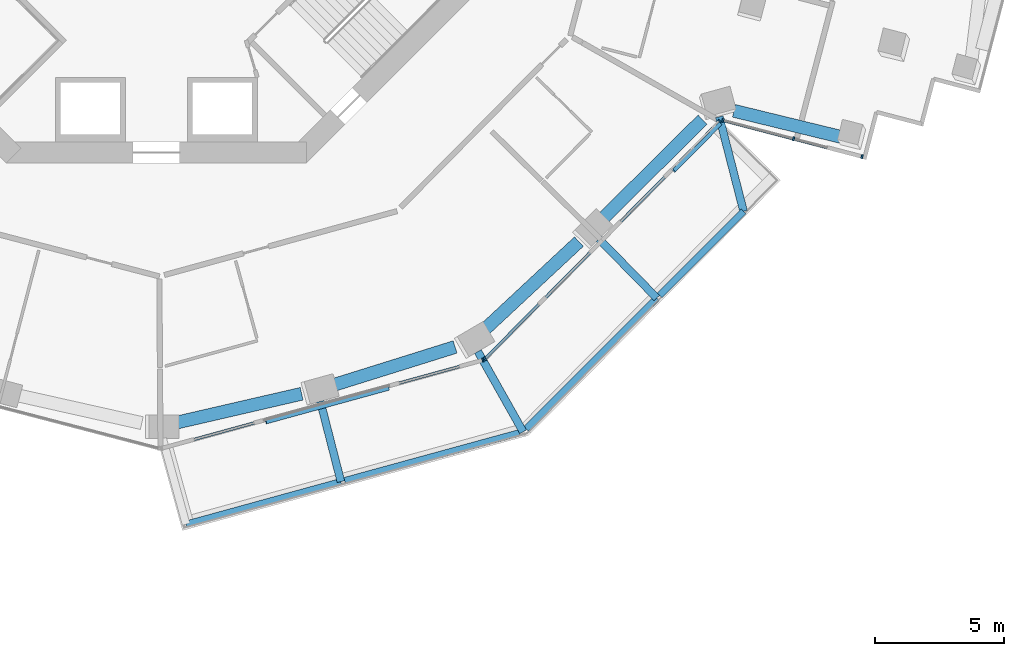
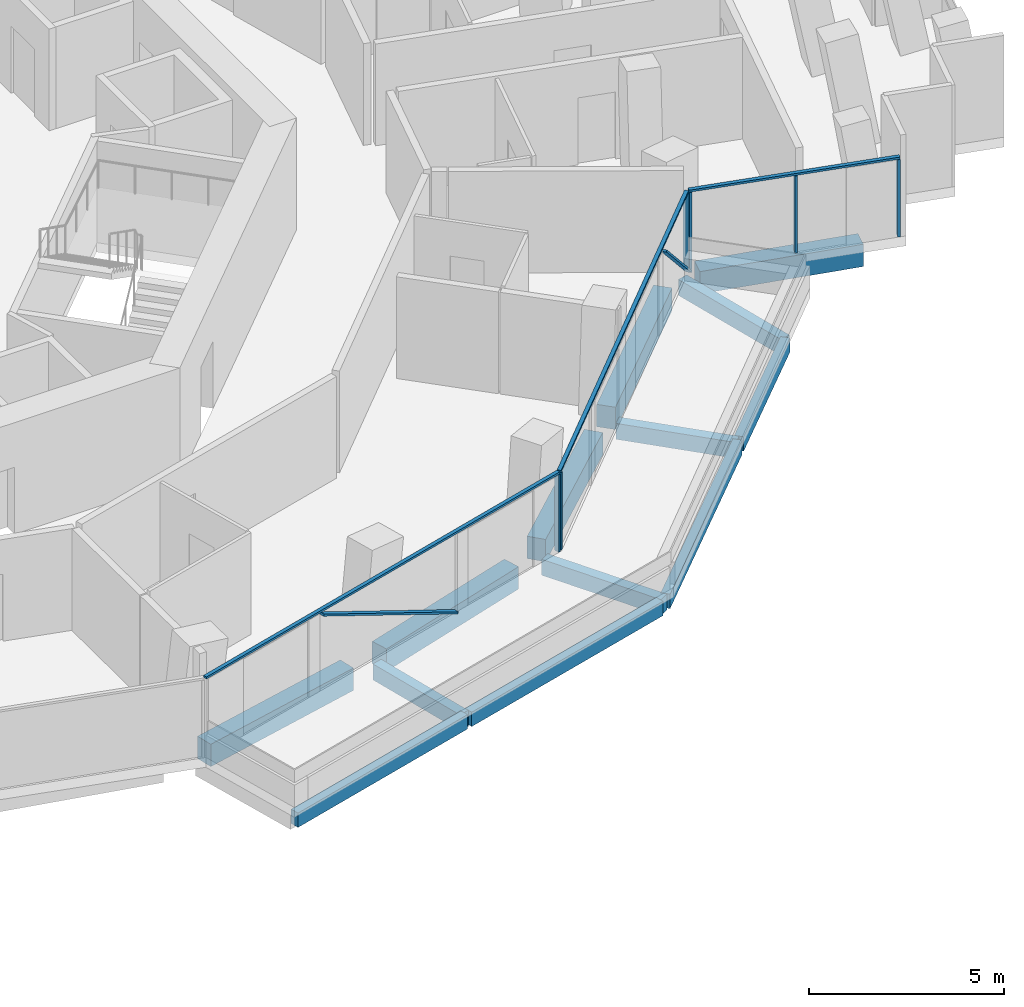
# One storey, part 5 of 26: 13 beams, 11 members, 3 elements without a shape of their own.
"""IFC4 building model written with IfcOpenShell, lengths in metres."""

from ifc_helpers import new_model, si_unit, direction, frame, origin, origin_2d, place, context, subcontext, project, spatial, rectangle, extrude, material, layer, layer_set, material_profile, profile_set, type_object, element, aggregate, save


model = new_model("IFC4")

# Units and contexts
model_context = context("Model", 3, precision=1e-05, world=origin(), true_north=direction((0.0, 1.0)))
body_context = subcontext(model_context, "Body", "Model", "MODEL_VIEW")
ifc_project = project(units=[si_unit("LENGTHUNIT", "METRE"), si_unit("AREAUNIT", "SQUARE_METRE"), si_unit("VOLUMEUNIT", "CUBIC_METRE"), si_unit("PLANEANGLEUNIT", "RADIAN"), si_unit("MASSUNIT", "GRAM", prefix="KILO")], contexts=[model_context])

# Site, building, storey
site_placement = place(None, origin())
site = spatial("IfcSite", under=ifc_project, at=site_placement, CompositionType="ELEMENT")
building_placement = place(site_placement, origin())
building = spatial("IfcBuilding", under=site, at=building_placement, Name="Verdalira Terraces Hotel", CompositionType="ELEMENT")
storey_placement = place(building_placement, frame((0.0, 0.0, 96.5)))
storey = spatial("IfcBuildingStorey", under=building, at=storey_placement, Name="L22", CompositionType="ELEMENT", Elevation=96.5)

# Beams
ifc_material_1 = material(Name="Concrete C40", Category="concrete")
ifc_material_profile_1 = material_profile(ifc_material_1, rectangle(XDim=0.300049, YDim=0.5, at=origin_2d()), Name="RC 300X500")
ifc_profile_set_1 = profile_set([ifc_material_profile_1], Name="Concrete C40")
beam_type_1 = type_object("IfcBeamType", Name="Balcony cantilever beam RC 300X500 C40", PredefinedType="BEAM", material=ifc_profile_set_1)
beam_1_placement = place(storey_placement, frame((6.331543, -23.209961, -0.560059), z_axis=(0.248650601, -0.968593247, 0.0), x_axis=(0.968593247, 0.248650601, 0.0)))
element("IfcBeam", 1, at=beam_1_placement, inside=storey, type_object=beam_type_1, Name="Balcony cantilever beam R26-2", PredefinedType="BEAM", context=body_context, shape_type="SweptSolid", body=[
    extrude(rectangle(XDim=0.300049, YDim=0.5, at=origin_2d()), origin(), (0.0, 0.0, 1.0), 3.200928),
])
beam_2_placement = place(storey_placement, frame((12.41748, -21.284912, -0.560059), z_axis=(0.490925924, -0.871201318, 0.0), x_axis=(0.871201318, 0.490925924, 0.0)))
element("IfcBeam", 2, at=beam_2_placement, inside=storey, type_object=beam_type_1, Name="Balcony cantilever beam R26-3", PredefinedType="BEAM", context=body_context, shape_type="SweptSolid", body=[
    extrude(rectangle(XDim=0.300049, YDim=0.5, at=origin_2d()), origin(), (0.0, 0.0, 1.0), 3.556641),
])
beam_3_placement = place(storey_placement, frame((17.088135, -16.93457, -0.560059), z_axis=(0.69966941, -0.714466736, 0.0), x_axis=(0.714466736, 0.69966941, 0.0)))
element("IfcBeam", 3, at=beam_3_placement, inside=storey, type_object=beam_type_1, Name="Balcony cantilever beam R26-4", PredefinedType="BEAM", context=body_context, shape_type="SweptSolid", body=[
    extrude(rectangle(XDim=0.300049, YDim=0.5, at=origin_2d()), origin(), (0.0, 0.0, 1.0), 3.200684),
])
beam_4_placement = place(storey_placement, frame((21.738525, -12.219971, -0.560059), z_axis=(0.248686963, -0.968583912, 0.0), x_axis=(0.968583912, 0.248686963, 0.0)))
element("IfcBeam", 4, at=beam_4_placement, inside=storey, type_object=beam_type_1, Name="Balcony cantilever beam R26-5", PredefinedType="BEAM", context=body_context, shape_type="SweptSolid", body=[
    extrude(rectangle(XDim=0.300049, YDim=0.5, at=origin_2d()), origin(), (0.0, 0.0, 1.0), 3.769775),
])
ifc_material_2 = material(Name="Concrete C40", Category="concrete")
ifc_material_profile_2 = material_profile(ifc_material_2, rectangle(XDim=0.25, YDim=0.449951, at=origin_2d()), Name="RC 250X450")
ifc_profile_set_2 = profile_set([ifc_material_profile_2], Name="Concrete C40")
beam_type_2 = type_object("IfcBeamType", Name="Balcony edge beam RC 250X450 C40", PredefinedType="BEAM", material=ifc_profile_set_2)
beam_5_placement = place(storey_placement, frame((1.148926, -27.952393, -0.534912), z_axis=(0.9642879, 0.264856273, 0.0), x_axis=(-0.264856273, 0.9642879, 0.0)))
element("IfcBeam", 5, at=beam_5_placement, inside=storey, type_object=beam_type_2, Name="Balcony edge beam R26-1", PredefinedType="BEAM", context=body_context, shape_type="SweptSolid", body=[
    extrude(rectangle(XDim=0.25, YDim=0.449951, at=origin_2d()), origin(), (0.0, 0.0, 1.0), 6.199951),
])
beam_6_placement = place(storey_placement, frame((7.272217, -26.270508, -0.534912), z_axis=(0.964494124, 0.264104308, 0.0), x_axis=(-0.264104308, 0.964494124, 0.0)))
element("IfcBeam", 6, at=beam_6_placement, inside=storey, type_object=beam_type_2, Name="Balcony edge beam R26-2", PredefinedType="BEAM", context=body_context, shape_type="SweptSolid", body=[
    extrude(rectangle(XDim=0.25, YDim=0.449951, at=origin_2d()), origin(), (0.0, 0.0, 1.0), 6.990479),
])
beam_7_placement = place(storey_placement, frame((14.273682, -24.273438, -0.534912), z_axis=(0.707243427, 0.706970109, 0.0), x_axis=(-0.706970109, 0.707243427, 0.0)))
element("IfcBeam", 7, at=beam_7_placement, inside=storey, type_object=beam_type_2, Name="Balcony edge beam R26-3", PredefinedType="BEAM", context=body_context, shape_type="SweptSolid", body=[
    extrude(rectangle(XDim=0.25, YDim=0.449951, at=origin_2d()), origin(), (0.0, 0.0, 1.0), 7.145996),
])
beam_8_placement = place(storey_placement, frame((19.433594, -19.115479, -0.534912), z_axis=(0.706920459, 0.707293054, 0.0), x_axis=(-0.707293054, 0.706920459, 0.0)))
element("IfcBeam", 8, at=beam_8_placement, inside=storey, type_object=beam_type_2, Name="Balcony edge beam R26-4", PredefinedType="BEAM", context=body_context, shape_type="SweptSolid", body=[
    extrude(rectangle(XDim=0.25, YDim=0.449951, at=origin_2d()), origin(), (0.0, 0.0, 1.0), 4.58667),
])

# Curtain wall, member
ifc_material_3 = material(Name="Clear glass", Category="glass")
ifc_layer_1 = layer(ifc_material_3, 0.14990234375)
ifc_layer_set_1 = layer_set([ifc_layer_1], Name="CW1 curtain wall")
curtain_wall_type_1 = type_object("IfcCurtainWallType", Name="CW1 curtain wall", PredefinedType="NOTDEFINED", material=ifc_layer_set_1)
curtain_wall_1_placement = place(storey_placement, origin())
curtain_wall_1 = element("IfcCurtainWall", 9, at=curtain_wall_1_placement, inside=storey, type_object=curtain_wall_type_1, Name="CW1 curtain wall L22 edge 26", PredefinedType="NOTDEFINED")
ifc_material_4 = material(Name="Terracotta frame", Category="masonry")
ifc_material_profile_3 = material_profile(ifc_material_4, rectangle(XDim=0.060059, YDim=0.149902, at=origin_2d()), Name="MU 60x150")
ifc_profile_set_3 = profile_set([ifc_material_profile_3], Name="Terracotta frame")
member_type_1 = type_object("IfcMemberType", Name="CW1 mullion 60x150", PredefinedType="MULLION", material=ifc_profile_set_3)
member_1_placement = place(storey_placement, frame((12.605957, -21.616455, 0.0), z_axis=(0.0, 0.0, 1.0), x_axis=(0.964280562, 0.264882987, 0.0)))
member_1 = element("IfcMember", 10, at=member_1_placement, type_object=member_type_1, Name="CW1 mullion", PredefinedType="MULLION", context=body_context, shape_type="SweptSolid", body=[
    extrude(rectangle(XDim=0.060059, YDim=0.149902, at=origin_2d()), origin(), (0.0, 0.0, 1.0), 2.425049),
])

# Curtain wall, members
curtain_wall_2_placement = place(storey_placement, origin())
curtain_wall_2 = element("IfcCurtainWall", 11, at=curtain_wall_2_placement, inside=storey, type_object=curtain_wall_type_1, Name="CW1 curtain wall L22 edge 27", PredefinedType="NOTDEFINED")
member_2_placement = place(storey_placement, frame((12.689453, -21.567383, 0.0), z_axis=(0.0, 0.0, 1.0), x_axis=(0.70264997, 0.711535677, 0.0)))
member_2 = element("IfcMember", 12, at=member_2_placement, type_object=member_type_1, Name="CW1 mullion", PredefinedType="MULLION", context=body_context, shape_type="SweptSolid", body=[
    extrude(rectangle(XDim=0.060059, YDim=0.149902, at=origin_2d()), origin(), (0.0, 0.0, 1.0), 2.425049),
])
member_3_placement = place(storey_placement, frame((21.753418, -12.388672, 0.0), z_axis=(0.0, 0.0, 1.0), x_axis=(0.70264997, 0.711535677, 0.0)))
member_3 = element("IfcMember", 13, at=member_3_placement, type_object=member_type_1, Name="CW1 mullion", PredefinedType="MULLION", context=body_context, shape_type="SweptSolid", body=[
    extrude(rectangle(XDim=0.060059, YDim=0.149902, at=origin_2d()), origin(), (0.0, 0.0, 1.0), 2.425049),
])

# Member
ifc_material_5 = material(Name="Terracotta frame", Category="masonry")
ifc_material_profile_4 = material_profile(ifc_material_5, rectangle(XDim=0.110107, YDim=0.064941, at=origin_2d()), Name="TR 65x110")
ifc_profile_set_4 = profile_set([ifc_material_profile_4], Name="Terracotta frame")
member_type_2 = type_object("IfcMemberType", Name="CW1 transom 65x110", PredefinedType="USERDEFINED", material=ifc_profile_set_4)
member_4_placement = place(storey_placement, frame((0.176758, -25.030518, 2.45752), z_axis=(0.964281205, 0.264880647, 0.0), x_axis=(-0.264880647, 0.964281205, 0.0)))
member_4 = element("IfcMember", 14, at=member_4_placement, type_object=member_type_2, Name="CW1 transom", ObjectType="TRANSOM", PredefinedType="USERDEFINED", context=body_context, shape_type="SweptSolid", body=[
    extrude(rectangle(XDim=0.110107, YDim=0.064941, at=origin_2d()), origin(), (0.0, 0.0, 1.0), 12.919434),
])

member_5_placement = place(storey_placement, frame((12.668213, -21.588867, 2.45752), z_axis=(0.702646984, 0.711538626, 0.0), x_axis=(-0.711538626, 0.702646984, 0.0)))
member_5 = element("IfcMember", 15, at=member_5_placement, type_object=member_type_2, Name="CW1 transom", ObjectType="TRANSOM", PredefinedType="USERDEFINED", context=body_context, shape_type="SweptSolid", body=[
    extrude(rectangle(XDim=0.110107, YDim=0.064941, at=origin_2d()), origin(), (0.0, 0.0, 1.0), 12.959961),
])

# Curtain wall, members
ifc_material_6 = material(Name="Clear glass", Category="glass")
ifc_layer_2 = layer(ifc_material_6, 0.14990234375)
ifc_layer_set_2 = layer_set([ifc_layer_2], Name="CW2 curtain wall")
curtain_wall_type_2 = type_object("IfcCurtainWallType", Name="CW2 curtain wall", PredefinedType="NOTDEFINED", material=ifc_layer_set_2)
curtain_wall_3_placement = place(storey_placement, origin())
curtain_wall_3 = element("IfcCurtainWall", 16, at=curtain_wall_3_placement, inside=storey, type_object=curtain_wall_type_2, Name="CW2 curtain wall L22 edge 28", PredefinedType="NOTDEFINED")
ifc_material_7 = material(Name="Terracotta frame", Category="masonry")
ifc_material_profile_5 = material_profile(ifc_material_7, rectangle(XDim=0.070068, YDim=0.149902, at=origin_2d()), Name="MU 70x150")
ifc_profile_set_5 = profile_set([ifc_material_profile_5], Name="Terracotta frame")
member_type_3 = type_object("IfcMemberType", Name="CW2 mullion 70x150", PredefinedType="MULLION", material=ifc_profile_set_5)
member_6_placement = place(storey_placement, frame((21.880615, -12.356445, 0.0), z_axis=(0.0, 0.0, 1.0), x_axis=(0.967532957, -0.252744885, 0.0)))
member_6 = element("IfcMember", 17, at=member_6_placement, type_object=member_type_3, Name="CW2 mullion", PredefinedType="MULLION", context=body_context, shape_type="SweptSolid", body=[
    extrude(rectangle(XDim=0.070068, YDim=0.149902, at=origin_2d()), origin(), (0.0, 0.0, 1.0), 2.425049),
])
member_7_placement = place(storey_placement, frame((24.604736, -13.067871, 0.0), z_axis=(0.0, 0.0, 1.0), x_axis=(0.967532957, -0.252744885, 0.0)))
member_7 = element("IfcMember", 18, at=member_7_placement, type_object=member_type_3, Name="CW2 mullion", PredefinedType="MULLION", context=body_context, shape_type="SweptSolid", body=[
    extrude(rectangle(XDim=0.070068, YDim=0.149902, at=origin_2d()), origin(), (0.0, 0.0, 1.0), 2.425049),
])
member_8_placement = place(storey_placement, frame((27.250977, -13.759277, 0.0), z_axis=(0.0, 0.0, 1.0), x_axis=(0.967532957, -0.252744885, 0.0)))
member_8 = element("IfcMember", 19, at=member_8_placement, type_object=member_type_3, Name="CW2 mullion", PredefinedType="MULLION", context=body_context, shape_type="SweptSolid", body=[
    extrude(rectangle(XDim=0.070068, YDim=0.149902, at=origin_2d()), origin(), (0.0, 0.0, 1.0), 2.425049),
])
ifc_material_8 = material(Name="Terracotta frame", Category="masonry")
ifc_material_profile_6 = material_profile(ifc_material_8, rectangle(XDim=0.11499, YDim=0.064941, at=origin_2d()), Name="TR 65x115")
ifc_profile_set_6 = profile_set([ifc_material_profile_6], Name="Terracotta frame")
member_type_4 = type_object("IfcMemberType", Name="CW2 transom 65x115", PredefinedType="USERDEFINED", material=ifc_profile_set_6)
member_9_placement = place(storey_placement, frame((21.846924, -12.347656, 2.45752), z_axis=(0.967536032, -0.252733113, 0.0), x_axis=(0.252733113, 0.967536032, 0.0)))
member_9 = element("IfcMember", 20, at=member_9_placement, type_object=member_type_4, Name="CW2 transom", ObjectType="TRANSOM", PredefinedType="USERDEFINED", context=body_context, shape_type="SweptSolid", body=[
    extrude(rectangle(XDim=0.11499, YDim=0.064941, at=origin_2d()), origin(), (0.0, 0.0, 1.0), 5.620117),
])
aggregate(curtain_wall_3, [member_6, member_7, member_8, member_9])

# Member
ifc_material_9 = material(Name="Terracotta frame", Category="masonry")
ifc_material_profile_7 = material_profile(ifc_material_9, rectangle(XDim=0.149902, YDim=0.060059, at=origin_2d()), Name="GB 60x150")
ifc_profile_set_7 = profile_set([ifc_material_profile_7], Name="Terracotta frame")
member_type_5 = type_object("IfcMemberType", Name="Diagonal glazing bar 60x150", PredefinedType="USERDEFINED", material=ifc_profile_set_7)
member_10_placement = place(storey_placement, frame((4.236328, -24.007812, 2.397217), z_axis=(0.868324326, 0.238522571, -0.43487912), x_axis=(-0.264881207, 0.964281051, 0.0)))
member_10 = element("IfcMember", 21, at=member_10_placement, type_object=member_type_5, Name="Diagonal glazing bar", ObjectType="GLAZING BAR", PredefinedType="USERDEFINED", context=body_context, shape_type="SweptSolid", body=[
    extrude(rectangle(XDim=0.149902, YDim=0.060059, at=origin_2d()), origin(), (0.0, 0.0, 1.0), 5.448486),
])

aggregate(curtain_wall_1, [member_1, member_4, member_10])

member_11_placement = place(storey_placement, frame((19.983154, -14.308105, 2.401611), z_axis=(0.514280554, 0.520786007, -0.681393753), x_axis=(-0.711536935, 0.702648696, 0.0)))
member_11 = element("IfcMember", 22, at=member_11_placement, type_object=member_type_5, Name="Diagonal glazing bar", ObjectType="GLAZING BAR", PredefinedType="USERDEFINED", context=body_context, shape_type="SweptSolid", body=[
    extrude(rectangle(XDim=0.149902, YDim=0.060059, at=origin_2d()), origin(), (0.0, 0.0, 1.0), 3.490234),
])

aggregate(curtain_wall_2, [member_2, member_3, member_5, member_11])

# Beams
ifc_material_10 = material(Name="Concrete C70", Category="concrete")
ifc_material_profile_8 = material_profile(ifc_material_10, rectangle(XDim=0.5, YDim=0.699951, at=origin_2d()), Name="RC 500X700")
ifc_profile_set_8 = profile_set([ifc_material_profile_8], Name="Concrete C70")
beam_type_3 = type_object("IfcBeamType", Name="Spandrel beam RC 500X700 C70", PredefinedType="SPANDREL", material=ifc_profile_set_8)
beam_9_placement = place(storey_placement, frame((0.723145, -24.042725, -0.659912), z_axis=(0.974439578, 0.224649748, 0.0), x_axis=(-0.224649748, 0.974439578, 0.0)))
element("IfcBeam", 23, at=beam_9_placement, inside=storey, type_object=beam_type_3, Name="Spandrel beam B17", PredefinedType="SPANDREL", context=body_context, shape_type="SweptSolid", body=[
    extrude(rectangle(XDim=0.5, YDim=0.699951, at=origin_2d()), origin(), (0.0, 0.0, 1.0), 5.015381),
])
beam_10_placement = place(storey_placement, frame((6.751709, -22.605713, -0.659912), z_axis=(0.954384593, 0.298580053, 0.0), x_axis=(-0.298580053, 0.954384593, 0.0)))
element("IfcBeam", 24, at=beam_10_placement, inside=storey, type_object=beam_type_3, Name="Spandrel beam B18", PredefinedType="SPANDREL", context=body_context, shape_type="SweptSolid", body=[
    extrude(rectangle(XDim=0.5, YDim=0.699951, at=origin_2d()), origin(), (0.0, 0.0, 1.0), 5.012451),
])
beam_11_placement = place(storey_placement, frame((12.647705, -20.459961, -0.659912), z_axis=(0.731543949, 0.681794287, 0.0), x_axis=(-0.681794287, 0.731543949, 0.0)))
element("IfcBeam", 25, at=beam_11_placement, inside=storey, type_object=beam_type_3, Name="Spandrel beam B19", PredefinedType="SPANDREL", context=body_context, shape_type="SweptSolid", body=[
    extrude(rectangle(XDim=0.5, YDim=0.699951, at=origin_2d()), origin(), (0.0, 0.0, 1.0), 5.015381),
])
beam_12_placement = place(storey_placement, frame((17.155518, -16.234131, -0.659912), z_axis=(0.710072379, 0.704128693, 0.0), x_axis=(-0.704128693, 0.710072379, 0.0)))
element("IfcBeam", 26, at=beam_12_placement, inside=storey, type_object=beam_type_3, Name="Spandrel beam B20", PredefinedType="SPANDREL", context=body_context, shape_type="SweptSolid", body=[
    extrude(rectangle(XDim=0.5, YDim=0.699951, at=origin_2d()), origin(), (0.0, 0.0, 1.0), 5.545166),
])
beam_13_placement = place(storey_placement, frame((22.30542, -11.990479, -0.659912), z_axis=(0.971587278, -0.23668156, 0.0), x_axis=(0.23668156, 0.971587278, 0.0)))
element("IfcBeam", 27, at=beam_13_placement, inside=storey, type_object=beam_type_3, Name="Spandrel beam B21", PredefinedType="SPANDREL", context=body_context, shape_type="SweptSolid", body=[
    extrude(rectangle(XDim=0.5, YDim=0.699951, at=origin_2d()), origin(), (0.0, 0.0, 1.0), 4.379883),
])

save(model, "model.ifc")
